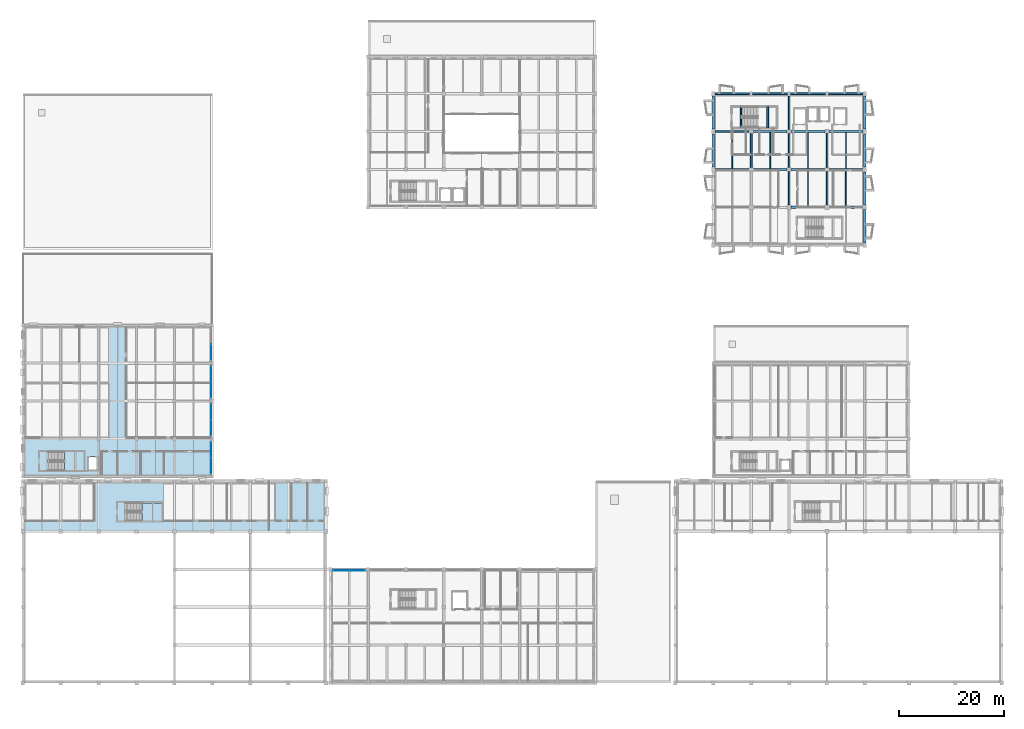
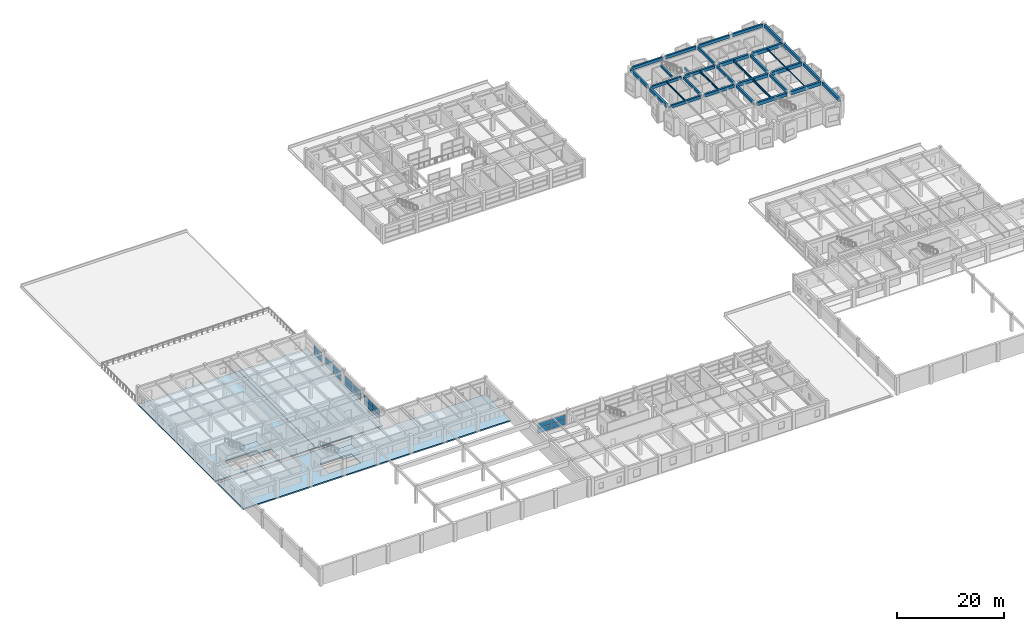
# One storey, part 40 of 67: 34 beams, 18 plates, 5 slabs, 7 elements without a shape of their own.
"""IFC4 building model written with IfcOpenShell, lengths in metres."""

from ifc_helpers import new_model, si_unit, direction, frame, origin, origin_2d, place, context, subcontext, project, spatial, polyline, rectangle, i_section, outline, extrude, material, layer, layer_set, material_profile, profile_set, type_object, element, aggregate, save


model = new_model("IFC4")

# Units and contexts
model_context = context("Model", 3, precision=1e-05, world=origin(), true_north=direction((0.0, 1.0)))
body_context = subcontext(model_context, "Body", "Model", "MODEL_VIEW")
ifc_project = project(units=[si_unit("LENGTHUNIT", "METRE"), si_unit("AREAUNIT", "SQUARE_METRE"), si_unit("VOLUMEUNIT", "CUBIC_METRE"), si_unit("PLANEANGLEUNIT", "RADIAN"), si_unit("MASSUNIT", "GRAM", prefix="KILO")], contexts=[model_context])

# Site, building, storey
site_placement = place(None, origin())
site = spatial("IfcSite", under=ifc_project, at=site_placement, CompositionType="ELEMENT")
building_placement = place(site_placement, origin())
building = spatial("IfcBuilding", under=site, at=building_placement, Name="Bramveld Media Centre", CompositionType="ELEMENT")
storey_placement = place(building_placement, frame((0.0, 0.0, 5.39990234375)))
storey = spatial("IfcBuildingStorey", under=building, at=storey_placement, Name="L01", CompositionType="ELEMENT", Elevation=5.39990234375)

# Beams
ifc_material_1 = material(Name="Concrete C40/50", Category="concrete")
ifc_material_profile_1 = material_profile(ifc_material_1, rectangle(XDim=0.300048828125, YDim=0.5, at=origin_2d()), Name="RC 300x500")
ifc_profile_set_1 = profile_set([ifc_material_profile_1], Name="Concrete C40/50")
beam_type_1 = type_object("IfcBeamType", Name="BM-INT-RC-300x500", PredefinedType="BEAM", material=ifc_profile_set_1)
for number, where, z_axis, x_axis, name in (
    (1, (136.449951171875, 105.5, 3.9501953125), (0.0, 1.0, 0.0), (-1.0, 0.0, 0.0), "ST-01 L02 stairwell landing trimmer beam"),
    (2, (141.550048828125, 105.5, 1.650146484375), (0.0, 1.0, 0.0), (-1.0, 0.0, 0.0), "ST-01 L01 stairwell half-landing support beam"),
):
    element("IfcBeam", number, at=place(storey_placement, frame(where, z_axis=z_axis, x_axis=x_axis)), inside=storey, type_object=beam_type_1, Name=name, PredefinedType="BEAM", context=body_context, shape_type="SweptSolid", body=[
        extrude(rectangle(XDim=0.300048828125, YDim=0.5, at=origin_2d()), origin(), (0.0, 0.0, 1.0), 4.050048828125),
    ])
ifc_material_2 = material(Name="Concrete C40/50", Category="concrete")
ifc_material_profile_2 = material_profile(ifc_material_2, rectangle(XDim=0.35009765625, YDim=0.60009765625, at=origin_2d()), Name="RC 350x600")
ifc_profile_set_2 = profile_set([ifc_material_profile_2], Name="Concrete C40/50")
beam_type_2 = type_object("IfcBeamType", Name="BM-INT-RC-350x600", PredefinedType="BEAM", material=ifc_profile_set_2)
for number, where, z_axis, x_axis, name in (
    (3, (138.39990234375, 98.0, 3.650146484375), (0.0, 1.0, 0.0), (-1.0, 0.0, 0.0), "V7 L01 girder Y-1316"),
    (4, (145.60009765625, 90.800048828125, 3.650146484375), (0.0, 1.0, 0.0), (-1.0, 0.0, 0.0), "V7 L01 girder Y-1318"),
    (5, (145.60009765625, 98.0, 3.650146484375), (0.0, 1.0, 0.0), (-1.0, 0.0, 0.0), "V7 L01 girder Y-1319"),
):
    element("IfcBeam", number, at=place(storey_placement, frame(where, z_axis=z_axis, x_axis=x_axis)), inside=storey, type_object=beam_type_2, Name=name, PredefinedType="BEAM", context=body_context, shape_type="SweptSolid", body=[
        extrude(rectangle(XDim=0.35009765625, YDim=0.60009765625, at=origin_2d()), origin(), (0.0, 0.0, 1.0), 6.39990234375),
    ])
beam_1_placement = place(storey_placement, frame((145.60009765625, 105.199951171875, 3.650146484375), z_axis=(0.0, 1.0, 0.0), x_axis=(-1.0, 0.0, 0.0)))
element("IfcBeam", 6, at=beam_1_placement, inside=storey, type_object=beam_type_2, Name="V7 L01 girder Y-1320", PredefinedType="BEAM", context=body_context, shape_type="SweptSolid", body=[
    extrude(rectangle(XDim=0.35009765625, YDim=0.60009765625, at=origin_2d()), origin(), (0.0, 0.0, 1.0), 6.35009765625),
])
for number, where, z_axis, x_axis, name in (
    (7, (152.800048828125, 90.800048828125, 3.650146484375), (0.0, 1.0, 0.0), (-1.0, 0.0, 0.0), "V7 L01 girder Y-1321"),
    (8, (152.800048828125, 98.0, 3.650146484375), (0.0, 1.0, 0.0), (-1.0, 0.0, 0.0), "V7 L01 girder Y-1322"),
):
    element("IfcBeam", number, at=place(storey_placement, frame(where, z_axis=z_axis, x_axis=x_axis)), inside=storey, type_object=beam_type_2, Name=name, PredefinedType="BEAM", context=body_context, shape_type="SweptSolid", body=[
        extrude(rectangle(XDim=0.35009765625, YDim=0.60009765625, at=origin_2d()), origin(), (0.0, 0.0, 1.0), 6.39990234375),
    ])
ifc_material_3 = material(Name="Concrete C40/50", Category="concrete")
ifc_material_profile_3 = material_profile(ifc_material_3, rectangle(XDim=0.35009765625, YDim=0.64990234375, at=origin_2d()), Name="RC 350x650")
ifc_profile_set_3 = profile_set([ifc_material_profile_3], Name="Concrete C40/50")
beam_type_3 = type_object("IfcBeamType", Name="BM-INT-RC-350x650", PredefinedType="BEAM", material=ifc_profile_set_3)
for number, where, z_axis, x_axis, name in (
    (9, (131.5, 97.60009765625, 3.625), (1.0, 0.0, 0.0), (0.0, 1.0, 0.0), "V7 L01 girder X-1298"),
    (10, (131.5, 104.800048828125, 3.625), (1.0, 0.0, 0.0), (0.0, 1.0, 0.0), "V7 L01 girder X-1302"),
):
    element("IfcBeam", number, at=place(storey_placement, frame(where, z_axis=z_axis, x_axis=x_axis)), inside=storey, type_object=beam_type_3, Name=name, PredefinedType="BEAM", context=body_context, shape_type="SweptSolid", body=[
        extrude(rectangle(XDim=0.35009765625, YDim=0.64990234375, at=origin_2d()), origin(), (0.0, 0.0, 1.0), 6.5),
    ])
ifc_material_4 = material(Name="Concrete C40/50", Category="concrete")
ifc_material_profile_4 = material_profile(ifc_material_4, rectangle(XDim=0.39990234375, YDim=0.64990234375, at=origin_2d()), Name="RC 400x650")
ifc_profile_set_4 = profile_set([ifc_material_profile_4], Name="Concrete C40/50")
beam_type_4 = type_object("IfcBeamType", Name="BM-INT-RC-400x650", PredefinedType="BEAM", material=ifc_profile_set_4)
for number, where, z_axis, x_axis, name in (
    (11, (138.800048828125, 97.60009765625, 3.625), (1.0, 0.0, 0.0), (0.0, 1.0, 0.0), "V7 L01 girder X-1299"),
    (12, (138.800048828125, 104.800048828125, 3.625), (1.0, 0.0, 0.0), (0.0, 1.0, 0.0), "V7 L01 girder X-1303"),
):
    element("IfcBeam", number, at=place(storey_placement, frame(where, z_axis=z_axis, x_axis=x_axis)), inside=storey, type_object=beam_type_4, Name=name, PredefinedType="BEAM", context=body_context, shape_type="SweptSolid", body=[
        extrude(rectangle(XDim=0.39990234375, YDim=0.64990234375, at=origin_2d()), origin(), (0.0, 0.0, 1.0), 6.39990234375),
    ])
ifc_material_5 = material(Name="Concrete C40/50", Category="concrete")
ifc_material_profile_5 = material_profile(ifc_material_5, rectangle(XDim=0.449951171875, YDim=0.75, at=origin_2d()), Name="RC 450x750")
ifc_profile_set_5 = profile_set([ifc_material_profile_5], Name="Concrete C40/50")
beam_type_5 = type_object("IfcBeamType", Name="BM-INT-RC-450x750", PredefinedType="BEAM", material=ifc_profile_set_5)
for number, where, z_axis, x_axis, name in (
    (13, (146.0, 90.39990234375, 3.5751953125), (1.0, 0.0, 0.0), (0.0, 1.0, 0.0), "V7 L01 girder X-1296"),
    (14, (146.0, 97.60009765625, 3.5751953125), (1.0, 0.0, 0.0), (0.0, 1.0, 0.0), "V7 L01 girder X-1300"),
    (15, (146.0, 104.800048828125, 3.5751953125), (1.0, 0.0, 0.0), (0.0, 1.0, 0.0), "V7 L01 girder X-1304"),
):
    element("IfcBeam", number, at=place(storey_placement, frame(where, z_axis=z_axis, x_axis=x_axis)), inside=storey, type_object=beam_type_5, Name=name, PredefinedType="BEAM", context=body_context, shape_type="SweptSolid", body=[
        extrude(rectangle(XDim=0.449951171875, YDim=0.75, at=origin_2d()), origin(), (0.0, 0.0, 1.0), 6.39990234375),
    ])
ifc_material_6 = material(Name="Concrete C40/50", Category="concrete")
ifc_material_profile_6 = material_profile(ifc_material_6, rectangle(XDim=0.449951171875, YDim=0.800048828125, at=origin_2d()), Name="RC 450x800")
ifc_profile_set_6 = profile_set([ifc_material_profile_6], Name="Concrete C40/50")
beam_type_6 = type_object("IfcBeamType", Name="BM-INT-RC-450x800", PredefinedType="BEAM", material=ifc_profile_set_6)
for number, where, z_axis, x_axis, name in (
    (16, (153.199951171875, 90.39990234375, 3.550048828125), (1.0, 0.0, 0.0), (0.0, 1.0, 0.0), "V7 L01 girder X-1297"),
    (17, (153.199951171875, 97.60009765625, 3.550048828125), (1.0, 0.0, 0.0), (0.0, 1.0, 0.0), "V7 L01 girder X-1301"),
    (18, (153.199951171875, 104.800048828125, 3.550048828125), (1.0, 0.0, 0.0), (0.0, 1.0, 0.0), "V7 L01 girder X-1305"),
):
    element("IfcBeam", number, at=place(storey_placement, frame(where, z_axis=z_axis, x_axis=x_axis)), inside=storey, type_object=beam_type_6, Name=name, PredefinedType="BEAM", context=body_context, shape_type="SweptSolid", body=[
        extrude(rectangle(XDim=0.449951171875, YDim=0.800048828125, at=origin_2d()), origin(), (0.0, 0.0, 1.0), 6.5),
    ])
ifc_material_7 = material(Name="Steel S355J2", Category="steel")
ifc_material_profile_7 = material_profile(ifc_material_7, i_section(OverallWidth=0.179931640625, OverallDepth=0.1708984375, WebThickness=0.006103515625, FlangeThickness=0.009521484375, FilletRadius=0.014892578125, at=origin_2d()), Name="HEA 180")
ifc_profile_set_7 = profile_set([ifc_material_profile_7], Name="Steel S355J2")
beam_type_7 = type_object("IfcBeamType", Name="SBM-INT-HEA-180", PredefinedType="BEAM", material=ifc_profile_set_7)
beam_2_placement = place(storey_placement, frame((156.39990234375, 90.625, 3.864501953125), z_axis=(0.0, 1.0, 0.0), x_axis=(-1.0, 0.0, 0.0)))
element("IfcBeam", 19, at=beam_2_placement, inside=storey, type_object=beam_type_7, Name="V7 L01 secondary floor joist 1336", PredefinedType="BEAM", context=body_context, shape_type="SweptSolid", body=[
    extrude(i_section(OverallWidth=0.179931640625, OverallDepth=0.1708984375, WebThickness=0.006103515625, FlangeThickness=0.009521484375, FilletRadius=0.014892578125, at=origin_2d()), origin(), (0.0, 0.0, 1.0), 6.75),
])
ifc_material_8 = material(Name="Steel S355J2", Category="steel")
ifc_material_profile_8 = material_profile(ifc_material_8, i_section(OverallWidth=0.199951171875, OverallDepth=0.18994140625, WebThickness=0.006591796875, FlangeThickness=0.010009765625, FilletRadius=0.01806640625, at=origin_2d()), Name="HEA 200")
ifc_profile_set_8 = profile_set([ifc_material_profile_8], Name="Steel S355J2")
beam_type_8 = type_object("IfcBeamType", Name="SBM-INT-HEA-200", PredefinedType="BEAM", material=ifc_profile_set_8)
beam_3_placement = place(storey_placement, frame((156.39990234375, 97.824951171875, 3.85498046875), z_axis=(0.0, 1.0, 0.0), x_axis=(-1.0, 0.0, 0.0)))
element("IfcBeam", 20, at=beam_3_placement, inside=storey, type_object=beam_type_8, Name="V7 L01 secondary floor joist 1337", PredefinedType="BEAM", context=body_context, shape_type="SweptSolid", body=[
    extrude(i_section(OverallWidth=0.199951171875, OverallDepth=0.18994140625, WebThickness=0.006591796875, FlangeThickness=0.010009765625, FilletRadius=0.01806640625, at=origin_2d()), origin(), (0.0, 0.0, 1.0), 6.75),
])
ifc_material_9 = material(Name="Steel S355J2", Category="steel")
ifc_material_profile_9 = material_profile(ifc_material_9, i_section(OverallWidth=0.159912109375, OverallDepth=0.330078125, WebThickness=0.007568359375, FlangeThickness=0.011474609375, FilletRadius=0.01806640625, at=origin_2d()), Name="IPE 330")
ifc_profile_set_9 = profile_set([ifc_material_profile_9], Name="Steel S355J2")
beam_type_9 = type_object("IfcBeamType", Name="SBM-INT-IPE-330", PredefinedType="JOIST", material=ifc_profile_set_9)
beam_4_placement = place(storey_placement, frame((134.800048828125, 97.77490234375, 3.78515625), z_axis=(0.0, 1.0, 0.0), x_axis=(-1.0, 0.0, 0.0)))
element("IfcBeam", 21, at=beam_4_placement, inside=storey, type_object=beam_type_9, Name="V7 L01 secondary floor joist 1329", PredefinedType="JOIST", context=body_context, shape_type="SweptSolid", body=[
    extrude(i_section(OverallWidth=0.159912109375, OverallDepth=0.330078125, WebThickness=0.007568359375, FlangeThickness=0.011474609375, FilletRadius=0.01806640625, at=origin_2d()), origin(), (0.0, 0.0, 1.0), 6.85009765625),
])
ifc_material_10 = material(Name="Steel S355J2", Category="steel")
ifc_material_profile_10 = material_profile(ifc_material_10, i_section(OverallWidth=0.18994140625, OverallDepth=0.449951171875, WebThickness=0.009521484375, FlangeThickness=0.0146484375, FilletRadius=0.02099609375, at=origin_2d()), Name="IPE 450")
ifc_profile_set_10 = profile_set([ifc_material_profile_10], Name="Steel S355J2")
beam_type_10 = type_object("IfcBeamType", Name="SBM-INT-IPE-450", PredefinedType="BEAM", material=ifc_profile_set_10)
beam_5_placement = place(storey_placement, frame((142.0, 97.800048828125, 3.72509765625), z_axis=(0.0, 1.0, 0.0), x_axis=(-1.0, 0.0, 0.0)))
element("IfcBeam", 22, at=beam_5_placement, inside=storey, type_object=beam_type_10, Name="V7 L01 secondary floor joist 1332", PredefinedType="BEAM", context=body_context, shape_type="SweptSolid", body=[
    extrude(i_section(OverallWidth=0.18994140625, OverallDepth=0.449951171875, WebThickness=0.009521484375, FlangeThickness=0.0146484375, FilletRadius=0.02099609375, at=origin_2d()), origin(), (0.0, 0.0, 1.0), 6.800048828125),
])
ifc_material_11 = material(Name="Steel S355J2", Category="steel")
ifc_material_profile_11 = material_profile(ifc_material_11, i_section(OverallWidth=0.199951171875, OverallDepth=0.5, WebThickness=0.01025390625, FlangeThickness=0.01611328125, FilletRadius=0.02099609375, at=origin_2d()), Name="IPE 500")
ifc_profile_set_11 = profile_set([ifc_material_profile_11], Name="Steel S355J2")
beam_type_11 = type_object("IfcBeamType", Name="SBM-INT-IPE-500", PredefinedType="BEAM", material=ifc_profile_set_11)
beam_6_placement = place(storey_placement, frame((149.199951171875, 90.625, 3.7001953125), z_axis=(0.0, 1.0, 0.0), x_axis=(-1.0, 0.0, 0.0)))
element("IfcBeam", 23, at=beam_6_placement, inside=storey, type_object=beam_type_11, Name="V7 L01 secondary floor joist 1333", PredefinedType="BEAM", context=body_context, shape_type="SweptSolid", body=[
    extrude(i_section(OverallWidth=0.199951171875, OverallDepth=0.5, WebThickness=0.01025390625, FlangeThickness=0.01611328125, FilletRadius=0.02099609375, at=origin_2d()), origin(), (0.0, 0.0, 1.0), 6.75),
])
ifc_material_12 = material(Name="Steel S355J2", Category="steel")
ifc_material_profile_12 = material_profile(ifc_material_12, i_section(OverallWidth=0.2099609375, OverallDepth=0.550048828125, WebThickness=0.010986328125, FlangeThickness=0.01708984375, FilletRadius=0.02392578125, at=origin_2d()), Name="IPE 550")
ifc_profile_set_12 = profile_set([ifc_material_profile_12], Name="Steel S355J2")
beam_type_12 = type_object("IfcBeamType", Name="SBM-INT-IPE-550", PredefinedType="BEAM", material=ifc_profile_set_12)
beam_7_placement = place(storey_placement, frame((149.199951171875, 97.824951171875, 3.675048828125), z_axis=(0.0, 1.0, 0.0), x_axis=(-1.0, 0.0, 0.0)))
element("IfcBeam", 24, at=beam_7_placement, inside=storey, type_object=beam_type_12, Name="V7 L01 secondary floor joist 1334", PredefinedType="BEAM", context=body_context, shape_type="SweptSolid", body=[
    extrude(i_section(OverallWidth=0.2099609375, OverallDepth=0.550048828125, WebThickness=0.010986328125, FlangeThickness=0.01708984375, FilletRadius=0.02392578125, at=origin_2d()), origin(), (0.0, 0.0, 1.0), 6.75),
])
ifc_material_13 = material(Name="Concrete C40/50", Category="concrete")
ifc_material_profile_13 = material_profile(ifc_material_13, rectangle(XDim=0.3798828125, YDim=0.679931640625, at=origin_2d()), Name="RC 380x680")
ifc_profile_set_13 = profile_set([ifc_material_profile_13], Name="Concrete C40/50")
beam_type_13 = type_object("IfcBeamType", Name="SPANDREL-EXT-RC-380x680", PredefinedType="SPANDREL", material=ifc_profile_set_13)
for number, where, z_axis, x_axis, name in (
    (25, (131.5, 112.0, 3.610107421875), (1.0, 0.0, 0.0), (0.0, 1.0, 0.0), "V7 L01 girder X-1306"),
    (26, (138.699951171875, 112.0, 3.610107421875), (1.0, 0.0, 0.0), (0.0, 1.0, 0.0), "V7 L01 girder X-1307"),
    (27, (145.89990234375, 112.0, 3.610107421875), (1.0, 0.0, 0.0), (0.0, 1.0, 0.0), "V7 L01 girder X-1308"),
):
    element("IfcBeam", number, at=place(storey_placement, frame(where, z_axis=z_axis, x_axis=x_axis)), inside=storey, type_object=beam_type_13, Name=name, PredefinedType="SPANDREL", context=body_context, shape_type="SweptSolid", body=[
        extrude(rectangle(XDim=0.3798828125, YDim=0.679931640625, at=origin_2d()), origin(), (0.0, 0.0, 1.0), 6.60009765625),
    ])
beam_8_placement = place(storey_placement, frame((153.10009765625, 112.0, 3.610107421875), z_axis=(1.0, 0.0, 0.0), x_axis=(0.0, 1.0, 0.0)))
element("IfcBeam", 28, at=beam_8_placement, inside=storey, type_object=beam_type_13, Name="V7 L01 girder X-1309", PredefinedType="SPANDREL", context=body_context, shape_type="SweptSolid", body=[
    extrude(rectangle(XDim=0.3798828125, YDim=0.679931640625, at=origin_2d()), origin(), (0.0, 0.0, 1.0), 6.599853515625),
])
ifc_material_14 = material(Name="Concrete C40/50", Category="concrete")
ifc_material_profile_14 = material_profile(ifc_material_14, rectangle(XDim=0.419921875, YDim=0.719970703125, at=origin_2d()), Name="RC 420x720")
ifc_profile_set_14 = profile_set([ifc_material_profile_14], Name="Concrete C40/50")
beam_type_14 = type_object("IfcBeamType", Name="SPANDREL-EXT-RC-420x720", PredefinedType="SPANDREL", material=ifc_profile_set_14)
for number, where, z_axis, x_axis, name in (
    (29, (131.199951171875, 98.050048828125, 3.590087890625), (0.0, 1.0, 0.0), (-1.0, 0.0, 0.0), "V7 L01 girder Y-1312"),
    (30, (131.199951171875, 105.25, 3.590087890625), (0.0, 1.0, 0.0), (-1.0, 0.0, 0.0), "V7 L01 girder Y-1313"),
    (31, (160.0, 83.64990234375, 3.590087890625), (0.0, 1.0, 0.0), (-1.0, 0.0, 0.0), "V7 L01 girder Y-1323"),
):
    element("IfcBeam", number, at=place(storey_placement, frame(where, z_axis=z_axis, x_axis=x_axis)), inside=storey, type_object=beam_type_14, Name=name, PredefinedType="SPANDREL", context=body_context, shape_type="SweptSolid", body=[
        extrude(rectangle(XDim=0.419921875, YDim=0.719970703125, at=origin_2d()), origin(), (0.0, 0.0, 1.0), 6.300048828125),
    ])
beam_9_placement = place(storey_placement, frame((160.0, 90.85009765625, 3.590087890625), z_axis=(0.0, 1.0, 0.0), x_axis=(-1.0, 0.0, 0.0)))
element("IfcBeam", 32, at=beam_9_placement, inside=storey, type_object=beam_type_14, Name="V7 L01 girder Y-1324", PredefinedType="SPANDREL", context=body_context, shape_type="SweptSolid", body=[
    extrude(rectangle(XDim=0.419921875, YDim=0.719970703125, at=origin_2d()), origin(), (0.0, 0.0, 1.0), 6.2998046875),
])
for number, where, z_axis, x_axis, name in (
    (33, (160.0, 98.050048828125, 3.590087890625), (0.0, 1.0, 0.0), (-1.0, 0.0, 0.0), "V7 L01 girder Y-1325"),
    (34, (160.0, 105.25, 3.590087890625), (0.0, 1.0, 0.0), (-1.0, 0.0, 0.0), "V7 L01 girder Y-1326"),
):
    element("IfcBeam", number, at=place(storey_placement, frame(where, z_axis=z_axis, x_axis=x_axis)), inside=storey, type_object=beam_type_14, Name=name, PredefinedType="SPANDREL", context=body_context, shape_type="SweptSolid", body=[
        extrude(rectangle(XDim=0.419921875, YDim=0.719970703125, at=origin_2d()), origin(), (0.0, 0.0, 1.0), 6.300048828125),
    ])

# Curtain wall, plates
ifc_material_15 = material(Name="Thermally broken anodized bronze aluminium unitized curtain wall with solar-control triple glazing", Category="aluminium")
curtain_wall_type_1 = type_object("IfcCurtainWallType", Name="CW-FACV3-6100x2330", PredefinedType="NOTDEFINED", material=ifc_material_15)
curtain_wall_1_placement = place(storey_placement, origin())
curtain_wall_1 = element("IfcCurtainWall", 35, at=curtain_wall_1_placement, inside=storey, type_object=curtain_wall_type_1, Name="V3 L01 E curtain wall bay 1", PredefinedType="NOTDEFINED")
ifc_material_16 = material(Name="Solar-control triple insulating safety glass unit", Category="glass")
ifc_layer_1 = layer(ifc_material_16, 0.028076171875)
ifc_layer_set_1 = layer_set([ifc_layer_1], Name="Solar-control triple insulating safety glass unit")
plate_type = type_object("IfcPlateType", Name="CW-PAN-EXT", PredefinedType="CURTAIN_PANEL", material=ifc_layer_set_1)
plate_1_placement = place(storey_placement, frame((35.77001953125, 41.2900390625, 0.91015625), z_axis=(0.0, 0.0, 1.0), x_axis=(0.0, 1.0, 0.0)))
plate_1 = element("IfcPlate", 36, at=plate_1_placement, type_object=plate_type, Name="CW-FA-6123 panel 1.1", PredefinedType="CURTAIN_PANEL", context=body_context, shape_type="SweptSolid", body=[
    extrude(rectangle(XDim=2.9599609375, YDim=0.028076171875, at=origin_2d()), origin(), (0.0, 0.0, 1.0), 1.074951171875),
])
plate_2_placement = place(storey_placement, frame((35.77001953125, 41.2900390625, 2.044921875), z_axis=(0.0, 0.0, 1.0), x_axis=(0.0, 1.0, 0.0)))
plate_2 = element("IfcPlate", 37, at=plate_2_placement, type_object=plate_type, Name="CW-FA-6123 panel 1.2", PredefinedType="CURTAIN_PANEL", context=body_context, shape_type="SweptSolid", body=[
    extrude(rectangle(XDim=2.9599609375, YDim=0.028076171875, at=origin_2d()), origin(), (0.0, 0.0, 1.0), 1.074951171875),
])
plate_3_placement = place(storey_placement, frame((35.77001953125, 44.31005859375, 0.91015625), z_axis=(0.0, 0.0, 1.0), x_axis=(0.0, 1.0, 0.0)))
plate_3 = element("IfcPlate", 38, at=plate_3_placement, type_object=plate_type, Name="CW-FA-6123 panel 2.1", PredefinedType="CURTAIN_PANEL", context=body_context, shape_type="SweptSolid", body=[
    extrude(rectangle(XDim=2.9599609375, YDim=0.028076171875, at=origin_2d()), origin(), (0.0, 0.0, 1.0), 1.074951171875),
])
plate_4_placement = place(storey_placement, frame((35.77001953125, 44.31005859375, 2.044921875), z_axis=(0.0, 0.0, 1.0), x_axis=(0.0, 1.0, 0.0)))
plate_4 = element("IfcPlate", 39, at=plate_4_placement, type_object=plate_type, Name="CW-FA-6123 panel 2.2", PredefinedType="CURTAIN_PANEL", context=body_context, shape_type="SweptSolid", body=[
    extrude(rectangle(XDim=2.9599609375, YDim=0.028076171875, at=origin_2d()), origin(), (0.0, 0.0, 1.0), 1.074951171875),
])
aggregate(curtain_wall_1, [plate_1, plate_2, plate_3, plate_4])

curtain_wall_2_placement = place(storey_placement, origin())
curtain_wall_2 = element("IfcCurtainWall", 40, at=curtain_wall_2_placement, inside=storey, type_object=curtain_wall_type_1, Name="V3 L01 E curtain wall bay 2", PredefinedType="NOTDEFINED")
plate_5_placement = place(storey_placement, frame((35.77001953125, 48.489990234375, 0.91015625), z_axis=(0.0, 0.0, 1.0), x_axis=(0.0, 1.0, 0.0)))
plate_5 = element("IfcPlate", 41, at=plate_5_placement, type_object=plate_type, Name="CW-FA-6123 panel 1.1", PredefinedType="CURTAIN_PANEL", context=body_context, shape_type="SweptSolid", body=[
    extrude(rectangle(XDim=2.9599609375, YDim=0.028076171875, at=origin_2d()), origin(), (0.0, 0.0, 1.0), 1.074951171875),
])
plate_6_placement = place(storey_placement, frame((35.77001953125, 48.489990234375, 2.044921875), z_axis=(0.0, 0.0, 1.0), x_axis=(0.0, 1.0, 0.0)))
plate_6 = element("IfcPlate", 42, at=plate_6_placement, type_object=plate_type, Name="CW-FA-6123 panel 1.2", PredefinedType="CURTAIN_PANEL", context=body_context, shape_type="SweptSolid", body=[
    extrude(rectangle(XDim=2.9599609375, YDim=0.028076171875, at=origin_2d()), origin(), (0.0, 0.0, 1.0), 1.074951171875),
])
plate_7_placement = place(storey_placement, frame((35.77001953125, 51.510009765625, 0.91015625), z_axis=(0.0, 0.0, 1.0), x_axis=(0.0, 1.0, 0.0)))
plate_7 = element("IfcPlate", 43, at=plate_7_placement, type_object=plate_type, Name="CW-FA-6123 panel 2.1", PredefinedType="CURTAIN_PANEL", context=body_context, shape_type="SweptSolid", body=[
    extrude(rectangle(XDim=2.9599609375, YDim=0.028076171875, at=origin_2d()), origin(), (0.0, 0.0, 1.0), 1.074951171875),
])
plate_8_placement = place(storey_placement, frame((35.77001953125, 51.510009765625, 2.044921875), z_axis=(0.0, 0.0, 1.0), x_axis=(0.0, 1.0, 0.0)))
plate_8 = element("IfcPlate", 44, at=plate_8_placement, type_object=plate_type, Name="CW-FA-6123 panel 2.2", PredefinedType="CURTAIN_PANEL", context=body_context, shape_type="SweptSolid", body=[
    extrude(rectangle(XDim=2.9599609375, YDim=0.028076171875, at=origin_2d()), origin(), (0.0, 0.0, 1.0), 1.074951171875),
])
aggregate(curtain_wall_2, [plate_5, plate_6, plate_7, plate_8])

curtain_wall_3_placement = place(storey_placement, origin())
curtain_wall_3 = element("IfcCurtainWall", 45, at=curtain_wall_3_placement, inside=storey, type_object=curtain_wall_type_1, Name="V3 L01 E curtain wall bay 3", PredefinedType="NOTDEFINED")
plate_9_placement = place(storey_placement, frame((35.77001953125, 55.68994140625, 0.91015625), z_axis=(0.0, 0.0, 1.0), x_axis=(0.0, 1.0, 0.0)))
plate_9 = element("IfcPlate", 46, at=plate_9_placement, type_object=plate_type, Name="CW-FA-6123 panel 1.1", PredefinedType="CURTAIN_PANEL", context=body_context, shape_type="SweptSolid", body=[
    extrude(rectangle(XDim=2.9599609375, YDim=0.028076171875, at=origin_2d()), origin(), (0.0, 0.0, 1.0), 1.074951171875),
])
plate_10_placement = place(storey_placement, frame((35.77001953125, 55.68994140625, 2.044921875), z_axis=(0.0, 0.0, 1.0), x_axis=(0.0, 1.0, 0.0)))
plate_10 = element("IfcPlate", 47, at=plate_10_placement, type_object=plate_type, Name="CW-FA-6123 panel 1.2", PredefinedType="CURTAIN_PANEL", context=body_context, shape_type="SweptSolid", body=[
    extrude(rectangle(XDim=2.9599609375, YDim=0.028076171875, at=origin_2d()), origin(), (0.0, 0.0, 1.0), 1.074951171875),
])
plate_11_placement = place(storey_placement, frame((35.77001953125, 58.7099609375, 0.91015625), z_axis=(0.0, 0.0, 1.0), x_axis=(0.0, 1.0, 0.0)))
plate_11 = element("IfcPlate", 48, at=plate_11_placement, type_object=plate_type, Name="CW-FA-6123 panel 2.1", PredefinedType="CURTAIN_PANEL", context=body_context, shape_type="SweptSolid", body=[
    extrude(rectangle(XDim=2.9599609375, YDim=0.028076171875, at=origin_2d()), origin(), (0.0, 0.0, 1.0), 1.074951171875),
])
plate_12_placement = place(storey_placement, frame((35.77001953125, 58.7099609375, 2.044921875), z_axis=(0.0, 0.0, 1.0), x_axis=(0.0, 1.0, 0.0)))
plate_12 = element("IfcPlate", 49, at=plate_12_placement, type_object=plate_type, Name="CW-FA-6123 panel 2.2", PredefinedType="CURTAIN_PANEL", context=body_context, shape_type="SweptSolid", body=[
    extrude(rectangle(XDim=2.9599609375, YDim=0.028076171875, at=origin_2d()), origin(), (0.0, 0.0, 1.0), 1.074951171875),
])
aggregate(curtain_wall_3, [plate_9, plate_10, plate_11, plate_12])

curtain_wall_4_placement = place(storey_placement, origin())
curtain_wall_4 = element("IfcCurtainWall", 50, at=curtain_wall_4_placement, inside=storey, type_object=curtain_wall_type_1, Name="V3 L01 E curtain wall bay 4", PredefinedType="NOTDEFINED")
plate_13_placement = place(storey_placement, frame((35.77001953125, 62.889892578125, 0.91015625), z_axis=(0.0, 0.0, 1.0), x_axis=(0.0, 1.0, 0.0)))
plate_13 = element("IfcPlate", 51, at=plate_13_placement, type_object=plate_type, Name="CW-FA-6123 panel 1.1", PredefinedType="CURTAIN_PANEL", context=body_context, shape_type="SweptSolid", body=[
    extrude(rectangle(XDim=2.9599609375, YDim=0.028076171875, at=origin_2d()), origin(), (0.0, 0.0, 1.0), 1.074951171875),
])
plate_14_placement = place(storey_placement, frame((35.77001953125, 62.889892578125, 2.044921875), z_axis=(0.0, 0.0, 1.0), x_axis=(0.0, 1.0, 0.0)))
plate_14 = element("IfcPlate", 52, at=plate_14_placement, type_object=plate_type, Name="CW-FA-6123 panel 1.2", PredefinedType="CURTAIN_PANEL", context=body_context, shape_type="SweptSolid", body=[
    extrude(rectangle(XDim=2.9599609375, YDim=0.028076171875, at=origin_2d()), origin(), (0.0, 0.0, 1.0), 1.074951171875),
])
aggregate(curtain_wall_4, [plate_13, plate_14])

ifc_material_17 = material(Name="Thermally broken anodized bronze aluminium unitized curtain wall with solar-control triple glazing", Category="aluminium")
curtain_wall_type_2 = type_object("IfcCurtainWallType", Name="CW-FACV5-6100x2380", PredefinedType="NOTDEFINED", material=ifc_material_17)
curtain_wall_5_placement = place(storey_placement, origin())
curtain_wall_5 = element("IfcCurtainWall", 53, at=curtain_wall_5_placement, inside=storey, type_object=curtain_wall_type_2, Name="V5 L01 N curtain wall bay 1", PredefinedType="NOTDEFINED")
plate_15_placement = place(storey_placement, frame((60.489990234375, 21.3701171875, 0.91015625), z_axis=(0.0, 0.0, 1.0), x_axis=(1.0, 0.0, 0.0)))
plate_15 = element("IfcPlate", 54, at=plate_15_placement, type_object=plate_type, Name="CW-FA-6123 panel 1.1", PredefinedType="CURTAIN_PANEL", context=body_context, shape_type="SweptSolid", body=[
    extrude(rectangle(XDim=2.9599609375, YDim=0.028076171875, at=origin_2d()), origin(), (0.0, 0.0, 1.0), 1.10009765625),
])
plate_16_placement = place(storey_placement, frame((60.489990234375, 21.3701171875, 2.070068359375), z_axis=(0.0, 0.0, 1.0), x_axis=(1.0, 0.0, 0.0)))
plate_16 = element("IfcPlate", 55, at=plate_16_placement, type_object=plate_type, Name="CW-FA-6123 panel 1.2", PredefinedType="CURTAIN_PANEL", context=body_context, shape_type="SweptSolid", body=[
    extrude(rectangle(XDim=2.9599609375, YDim=0.028076171875, at=origin_2d()), origin(), (0.0, 0.0, 1.0), 1.10009765625),
])
plate_17_placement = place(storey_placement, frame((63.510009765625, 21.3701171875, 0.91015625), z_axis=(0.0, 0.0, 1.0), x_axis=(1.0, 0.0, 0.0)))
plate_17 = element("IfcPlate", 56, at=plate_17_placement, type_object=plate_type, Name="CW-FA-6123 panel 2.1", PredefinedType="CURTAIN_PANEL", context=body_context, shape_type="SweptSolid", body=[
    extrude(rectangle(XDim=2.9599609375, YDim=0.028076171875, at=origin_2d()), origin(), (0.0, 0.0, 1.0), 1.10009765625),
])
plate_18_placement = place(storey_placement, frame((63.510009765625, 21.3701171875, 2.070068359375), z_axis=(0.0, 0.0, 1.0), x_axis=(1.0, 0.0, 0.0)))
plate_18 = element("IfcPlate", 57, at=plate_18_placement, type_object=plate_type, Name="CW-FA-6123 panel 2.2", PredefinedType="CURTAIN_PANEL", context=body_context, shape_type="SweptSolid", body=[
    extrude(rectangle(XDim=2.9599609375, YDim=0.028076171875, at=origin_2d()), origin(), (0.0, 0.0, 1.0), 1.10009765625),
])
aggregate(curtain_wall_5, [plate_15, plate_16, plate_17, plate_18])

# Slabs
ifc_material_18 = material(Name="Concrete C40/50", Category="concrete")
ifc_layer_2 = layer(ifc_material_18, 0.260009765625)
ifc_layer_set_2 = layer_set([ifc_layer_2], Name="Concrete C40/50")
slab_type_1 = type_object("IfcSlabType", Name="SLAB-FLOOR-INT-260", PredefinedType="FLOOR", material=ifc_layer_set_2)
slab_1_placement = place(storey_placement, frame((0.0, 0.0, -0.260009765625)))
element("IfcSlab", 58, at=slab_1_placement, inside=storey, type_object=slab_type_1, Name="V3 L01 structural slab 1", PredefinedType="FLOOR", context=body_context, shape_type="SweptSolid", body=[
    extrude(outline(polyline([(0.0, 68.0), (21.60009765625, 68.0), (21.60009765625, 39.199951171875), (0.0, 39.199951171875), (0.0, 68.0)]), holes=[polyline([(14.199951171875, 40.39990234375), (14.199951171875, 43.0), (12.39990234375, 43.0), (12.39990234375, 40.39990234375), (14.199951171875, 40.39990234375)]), polyline([(4.85009765625, 40.39990234375), (11.60009765625, 40.39990234375), (11.60009765625, 43.949951171875), (4.85009765625, 43.949951171875), (4.85009765625, 40.39990234375)])]), origin(), (0.0, 0.0, 1.0), 0.260009765625),
])
slab_2_placement = place(storey_placement, frame((0.0, 0.0, -0.260009765625)))
element("IfcSlab", 59, at=slab_2_placement, inside=storey, type_object=slab_type_1, Name="V3 L01 structural slab 2", PredefinedType="FLOOR", context=body_context, shape_type="SweptSolid", body=[
    extrude(outline(polyline([(36.0, 39.199951171875), (21.60009765625, 39.199951171875), (21.60009765625, 68.0), (36.0, 68.0), (36.0, 39.199951171875)])), origin(), (0.0, 0.0, 1.0), 0.260009765625),
])
ifc_material_19 = material(Name="Concrete C40/50", Category="concrete")
ifc_layer_3 = layer(ifc_material_19, 0.300048828125)
ifc_layer_set_3 = layer_set([ifc_layer_3], Name="Concrete C40/50")
slab_type_2 = type_object("IfcSlabType", Name="SLAB-FLOOR-INT-300", PredefinedType="FLOOR", material=ifc_layer_set_3)
slab_3_placement = place(storey_placement, frame((0.0, 0.0, -0.2998046875)))
element("IfcSlab", 60, at=slab_3_placement, inside=storey, type_object=slab_type_2, Name="V2 L01 structural slab 1", PredefinedType="FLOOR", context=body_context, shape_type="SweptSolid", body=[
    extrude(outline(polyline([(0.0, 38.39990234375), (57.60009765625, 38.39990234375), (57.60009765625, 28.800048828125), (0.0, 28.800048828125), (0.0, 38.39990234375)]), holes=[polyline([(26.39990234375, 30.800048828125), (26.39990234375, 34.25), (19.60009765625, 34.25), (19.60009765625, 30.800048828125), (26.39990234375, 30.800048828125)])]), origin(), (0.0, 0.0, 1.0), 0.2998046875),
])

# Stair, slab
ifc_material_20 = material(Name="Concrete C40/50", Category="concrete")
stair_type_1 = type_object("IfcStairType", Name="STAIR-ST-04-24R-1650", PredefinedType="HALF_TURN_STAIR", material=ifc_material_20)
stair_1_placement = place(storey_placement, origin())
stair_1 = element("IfcStair", 61, at=stair_1_placement, inside=storey, type_object=stair_type_1, Name="L01 Repertory Cinema & Rooftop Terrace Stair", PredefinedType="HALF_TURN_STAIR")
ifc_material_21 = material(Name="Concrete C40/50", Category="concrete")
ifc_layer_4 = layer(ifc_material_21, 0.199951171875)
ifc_layer_set_4 = layer_set([ifc_layer_4], Name="Concrete C40/50")
slab_type_3 = type_object("IfcSlabType", Name="SLAB-STAIR-LAND-200", PredefinedType="LANDING", material=ifc_layer_set_4)
slab_4_placement = place(storey_placement, frame((0.0, 0.0, 1.900146484375)))
slab_4 = element("IfcSlab", 62, at=slab_4_placement, type_object=slab_type_3, Name="ST-04 landing 1", PredefinedType="LANDING", context=body_context, shape_type="SweptSolid", body=[
    extrude(outline(polyline([(7.929931640625, 40.39990234375), (11.60009765625, 40.39990234375), (11.60009765625, 43.949951171875), (7.929931640625, 43.949951171875), (7.929931640625, 40.39990234375)])), origin(), (0.0, 0.0, 1.0), 0.199951171875),
])
aggregate(stair_1, [slab_4])

ifc_material_22 = material(Name="Concrete C40/50", Category="concrete")
stair_type_2 = type_object("IfcStairType", Name="STAIR-ST-05-24R-1600", PredefinedType="HALF_TURN_STAIR", material=ifc_material_22)
stair_2_placement = place(storey_placement, origin())
stair_2 = element("IfcStair", 63, at=stair_2_placement, inside=storey, type_object=stair_type_2, Name="L01 Broadcast Studio Gallery Stair", PredefinedType="HALF_TURN_STAIR")
slab_5_placement = place(storey_placement, frame((0.0, 0.0, 1.900146484375)))
slab_5 = element("IfcSlab", 64, at=slab_5_placement, type_object=slab_type_3, Name="ST-05 landing 1", PredefinedType="LANDING", context=body_context, shape_type="SweptSolid", body=[
    extrude(outline(polyline([(22.679931640625, 30.800048828125), (26.39990234375, 30.800048828125), (26.39990234375, 34.25), (22.679931640625, 34.25), (22.679931640625, 30.800048828125)])), origin(), (0.0, 0.0, 1.0), 0.199951171875),
])
aggregate(stair_2, [slab_5])

save(model, "model.ifc")
